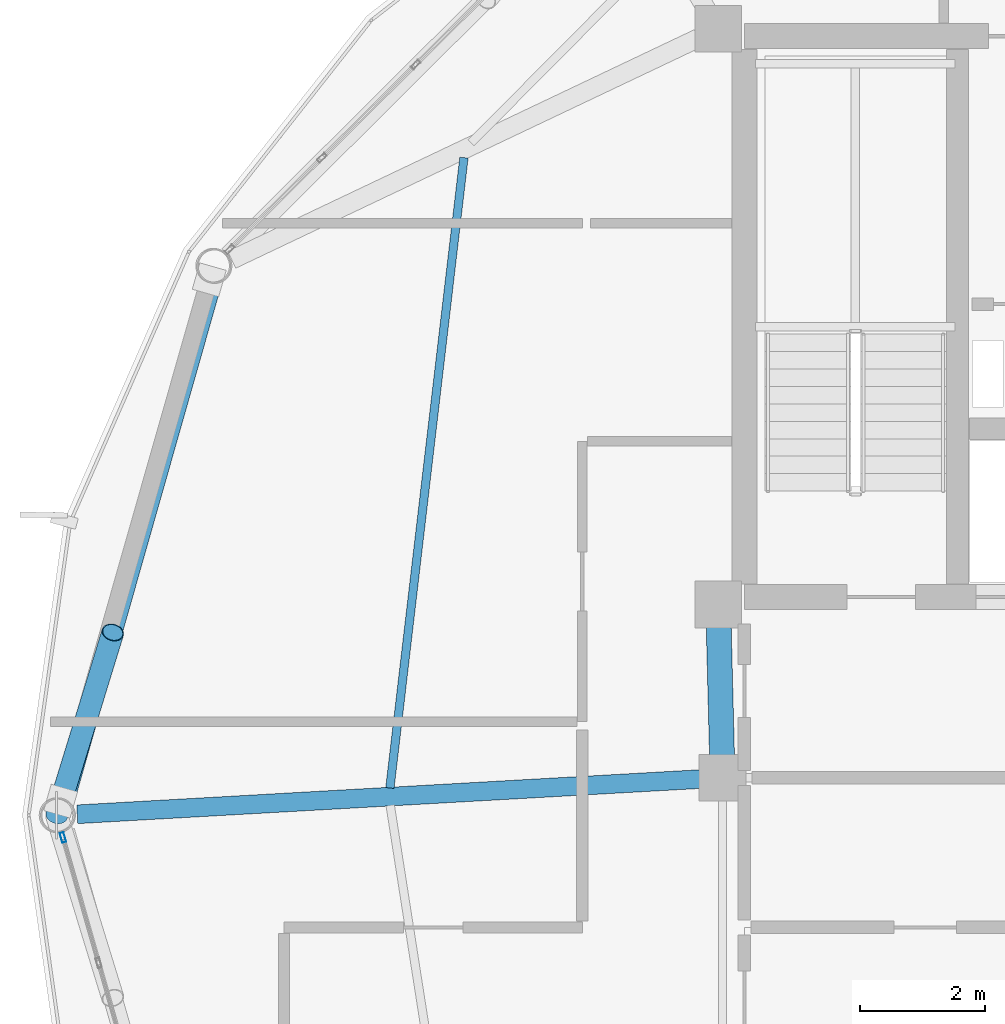
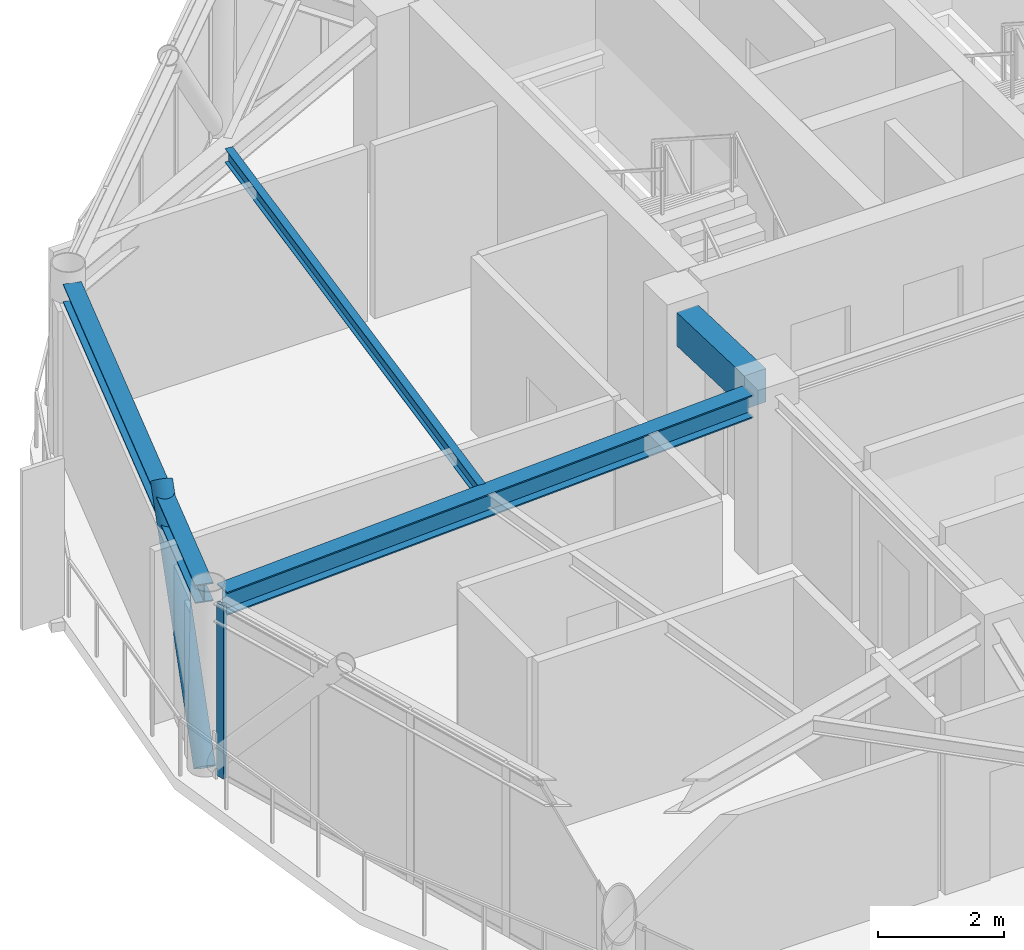
# One storey, part 10 of 24: 4 beams, 2 members, 1 element without a shape of its own.
"""IFC4 building model written with IfcOpenShell, lengths in metres."""

from ifc_helpers import new_model, si_unit, direction, frame, origin, origin_2d, place, context, subcontext, project, spatial, rectangle, hollow_rectangle, hollow_circle, i_section, extrude, material, layer, layer_set, material_profile, profile_set, type_object, element, aggregate, save


model = new_model("IFC4")

# Units and contexts
model_context = context("Model", 3, precision=1e-05, world=origin(), true_north=direction((0.0, 1.0)))
body_context = subcontext(model_context, "Body", "Model", "MODEL_VIEW")
ifc_project = project(units=[si_unit("LENGTHUNIT", "METRE"), si_unit("AREAUNIT", "SQUARE_METRE"), si_unit("VOLUMEUNIT", "CUBIC_METRE"), si_unit("PLANEANGLEUNIT", "RADIAN"), si_unit("MASSUNIT", "GRAM", prefix="KILO")], contexts=[model_context])

# Site, building, storey
site_placement = place(None, origin())
site = spatial("IfcSite", under=ifc_project, at=site_placement, CompositionType="ELEMENT")
building_placement = place(site_placement, origin())
building = spatial("IfcBuilding", under=site, at=building_placement, Name="Varnakorn Sky Granary", CompositionType="ELEMENT")
storey_placement = place(building_placement, frame((0.0, 0.0, 281.39990234375)))
storey = spatial("IfcBuildingStorey", under=building, at=storey_placement, Name="L72", CompositionType="ELEMENT", Elevation=281.39990234375)

# Beams
ifc_material_1 = material(Name="Concrete C50/60", Category="concrete")
ifc_material_profile_1 = material_profile(ifc_material_1, rectangle(XDim=0.39990234375, YDim=0.64990234375, at=origin_2d()), Name="RC 400x650")
ifc_profile_set_1 = profile_set([ifc_material_profile_1], Name="Concrete C50/60")
beam_type_1 = type_object("IfcBeamType", Name="BM-LIN-650", PredefinedType="LINTEL", material=ifc_profile_set_1)
beam_1_placement = place(storey_placement, frame((-2.4111328125, 3.025146484375, 3.03515625), z_axis=(0.025227817192, -0.999681727971, 0.0), x_axis=(0.999681727971, 0.025227817192, 0.0)))
element("IfcBeam", 1, at=beam_1_placement, inside=storey, type_object=beam_type_1, Name="Core Spine Framing Beam 1 L72", PredefinedType="LINTEL", context=body_context, shape_type="SweptSolid", body=[
    extrude(rectangle(XDim=0.39990234375, YDim=0.64990234375, at=origin_2d()), origin(), (0.0, 0.0, 1.0), 2.071044921875),
])
ifc_material_2 = material(Name="Steel S355JR", Category="steel")
ifc_material_profile_2 = material_profile(ifc_material_2, i_section(OverallWidth=0.300048828125, OverallDepth=0.449951171875, WebThickness=0.013916015625, FlangeThickness=0.02587890625, at=origin_2d()), Name="HE 450 B")
ifc_profile_set_2 = profile_set([ifc_material_profile_2], Name="Steel S355JR")
beam_type_2 = type_object("IfcBeamType", Name="BM-RAD-Z5", PredefinedType="BEAM", material=ifc_profile_set_2)
beam_2_placement = place(storey_placement, frame((-2.704345703125, 0.580078125, 3.135009765625), z_axis=(-0.998406487534, -0.056431247098, 0.0), x_axis=(0.056431247098, -0.998406487534, 0.0)))
element("IfcBeam", 2, at=beam_2_placement, inside=storey, type_object=beam_type_2, Name="Radial Floor Girder RG07 L72", PredefinedType="BEAM", context=body_context, shape_type="SweptSolid", body=[
    extrude(i_section(OverallWidth=0.300048828125, OverallDepth=0.449951171875, WebThickness=0.013916015625, FlangeThickness=0.02587890625, at=origin_2d()), origin(), (0.0, 0.0, 1.0), 10.015380859375),
])
ifc_material_profile_3 = material_profile(ifc_material_2, i_section(OverallWidth=0.135009765625, OverallDepth=0.27001953125, WebThickness=0.006591796875, FlangeThickness=0.01025390625, at=origin_2d()), Name="IPE 270")
ifc_profile_set_3 = profile_set([ifc_material_profile_3], Name="Steel S355JR")
beam_type_3 = type_object("IfcBeamType", Name="BM-SEC-Z5", PredefinedType="BEAM", material=ifc_profile_set_3)
beam_3_placement = place(storey_placement, frame((-6.499267578125, 10.55126953125, 3.22509765625), z_axis=(-0.116696595057, -0.993167611585, 0.0), x_axis=(0.993167611585, -0.116696595057, 0.0)))
element("IfcBeam", 3, at=beam_3_placement, inside=storey, type_object=beam_type_3, Name="Secondary Floor Chord Beam MSB06 L72", PredefinedType="BEAM", context=body_context, shape_type="SweptSolid", body=[
    extrude(i_section(OverallWidth=0.135009765625, OverallDepth=0.27001953125, WebThickness=0.006591796875, FlangeThickness=0.01025390625, at=origin_2d()), origin(), (0.0, 0.0, 1.0), 10.184326171875),
])
ifc_material_profile_4 = material_profile(ifc_material_2, i_section(OverallWidth=0.300048828125, OverallDepth=0.360107421875, WebThickness=0.012451171875, FlangeThickness=0.0224609375, at=origin_2d()), Name="HE 360 B")
ifc_profile_set_4 = profile_set([ifc_material_profile_4], Name="Steel S355JR")
beam_type_4 = type_object("IfcBeamType", Name="BM-SPD-Z5", PredefinedType="SPANDREL", material=ifc_profile_set_4)
beam_4_placement = place(storey_placement, frame((-10.536376953125, 8.545166015625, 3.18017578125), z_axis=(-0.273684775505, -0.961819444416, 0.0), x_axis=(0.961819444416, -0.273684775505, 0.0)))
element("IfcBeam", 4, at=beam_4_placement, inside=storey, type_object=beam_type_4, Name="Perimeter Spandrel Ring Beam RB06 L72", PredefinedType="SPANDREL", context=body_context, shape_type="SweptSolid", body=[
    extrude(i_section(OverallWidth=0.300048828125, OverallDepth=0.360107421875, WebThickness=0.012451171875, FlangeThickness=0.0224609375, at=origin_2d()), origin(), (0.0, 0.0, 1.0), 8.619873046875),
])

# Curtain wall, member
ifc_material_3 = material(Name="Anodised Bronze Aluminium Alloy 6063-T6", Category="aluminium")
ifc_layer = layer(ifc_material_3, 0.159912109375, Name="Anodised Bronze Aluminium Alloy 6063-T6")
ifc_layer_set = layer_set([ifc_layer], Name="Anodised Bronze Aluminium Alloy 6063-T6")
curtain_wall_type = type_object("IfcCurtainWallType", Name="CW-OFF-1", PredefinedType="USERDEFINED", material=ifc_layer_set)
curtain_wall_placement = place(storey_placement, origin())
curtain_wall = element("IfcCurtainWall", 5, at=curtain_wall_placement, inside=storey, type_object=curtain_wall_type, Name="Unitised Curtain Wall CW6 CW-L72-B07", ObjectType="CURTAIN WALL", PredefinedType="USERDEFINED")
ifc_material_profile_5 = material_profile(ifc_material_3, hollow_rectangle(XDim=0.06494140625, YDim=0.159912109375, WallThickness=0.00341796875, at=origin_2d()), Name="ALU MULL 65x160")
ifc_profile_set_5 = profile_set([ifc_material_profile_5], Name="Anodised Bronze Aluminium Alloy 6063-T6")
member_type_1 = type_object("IfcMemberType", Name="CW-OFF-1-MULL", PredefinedType="MULLION", material=ifc_profile_set_5)
member_1_placement = place(storey_placement, frame((-12.93310546875, -0.357666015625, 0.0), z_axis=(0.0, 0.0, 1.0), x_axis=(-0.961698903399, -0.274108042934, 0.0)))
member_1 = element("IfcMember", 6, at=member_1_placement, type_object=member_type_1, Name="CW6 mullion 5", PredefinedType="MULLION", context=body_context, shape_type="SweptSolid", body=[
    extrude(hollow_rectangle(XDim=0.06494140625, YDim=0.159912109375, WallThickness=0.00341796875, at=origin_2d()), origin(), (0.0, 0.0, 1.0), 3.360107421875),
])
aggregate(curtain_wall, [member_1])

# Member
ifc_material_4 = material(Name="Steel S460M", Category="steel")
ifc_material_profile_6 = material_profile(ifc_material_4, hollow_circle(Radius=0.177734375, WallThickness=0.01416015625, at=origin_2d()), Name="CHS 355.6x14")
ifc_profile_set_6 = profile_set([ifc_material_profile_6], Name="Steel S460M")
member_type_2 = type_object("IfcMemberType", Name="MB-DIAG-T5", PredefinedType="BRACE", material=ifc_profile_set_6)
member_2_placement = place(storey_placement, frame((-13.034912109375, 0.0, 0.0), z_axis=(0.194013644029, 0.631161635356, 0.750995137125), x_axis=(-0.955859824961, 0.293823067553, 0.0)))
element("IfcMember", 7, at=member_2_placement, inside=storey, type_object=member_type_2, Name="Perimeter CHS Diagrid Brace DG06 L72", PredefinedType="BRACE", context=body_context, shape_type="SweptSolid", body=[
    extrude(hollow_circle(Radius=0.177734375, WallThickness=0.01416015625, at=origin_2d()), origin(), (0.0, 0.0, 1.0), 4.647216796875),
])

save(model, "model.ifc")
